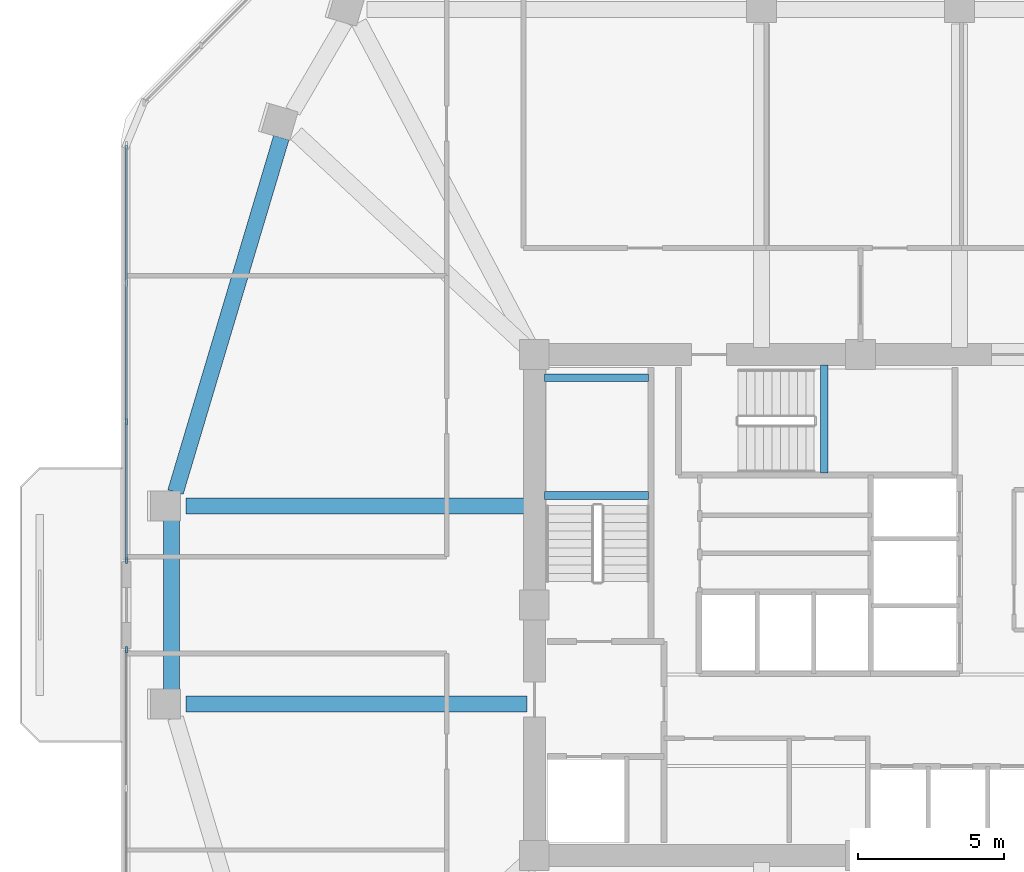
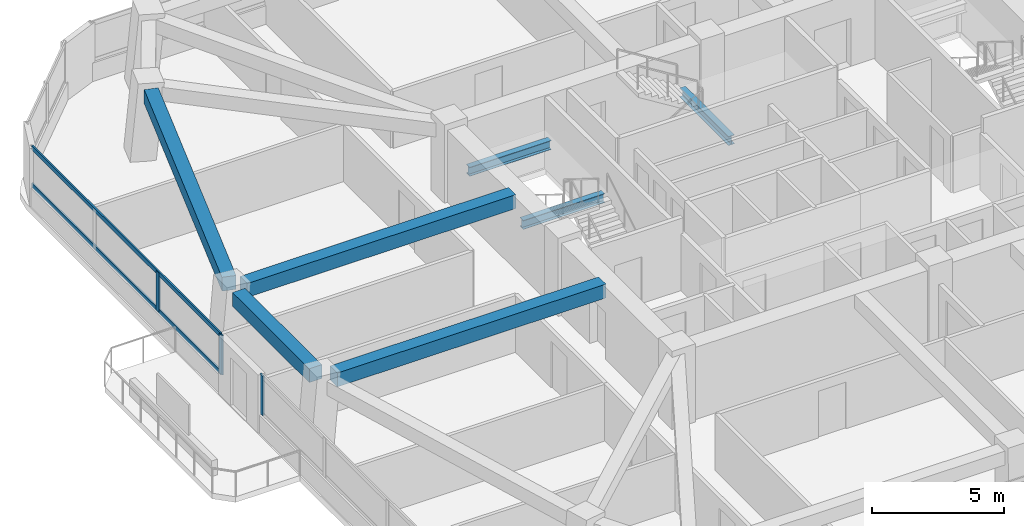
# One storey, part 4 of 14: 7 beams, 5 members, 2 elements without a shape of their own.
"""IFC4 building model written with IfcOpenShell, lengths in metres."""

from ifc_helpers import new_model, si_unit, derived_unit, direction, frame, origin, origin_2d, place, context, subcontext, project, spatial, rectangle, i_section, extrude, material, material_profile, profile_set, type_object, element, aggregate, save


model = new_model("IFC4")

# Units and contexts
model_context = context("Model", 3, precision=1e-05, world=origin(), true_north=direction((0.0, 1.0)))
body_context = subcontext(model_context, "Body", "Model", "MODEL_VIEW")
ifc_project = project(units=[si_unit("LENGTHUNIT", "METRE"), si_unit("AREAUNIT", "SQUARE_METRE"), si_unit("VOLUMEUNIT", "CUBIC_METRE"), si_unit("PLANEANGLEUNIT", "RADIAN"), si_unit("MASSUNIT", "GRAM", prefix="KILO"), derived_unit("THERMALTRANSMITTANCEUNIT", [(si_unit("POWERUNIT", "WATT"), 1), (si_unit("LENGTHUNIT", "METRE"), -2), (si_unit("THERMODYNAMICTEMPERATUREUNIT", "KELVIN"), -1)])], contexts=[model_context])

# Site, building, storey
site_placement = place(None, origin())
site = spatial("IfcSite", under=ifc_project, at=site_placement, CompositionType="ELEMENT")
building_placement = place(site_placement, origin())
building = spatial("IfcBuilding", under=site, at=building_placement, Name="Koralith Skygarden Medical Center", CompositionType="ELEMENT")
storey_placement = place(building_placement, frame((0.0, 0.0, 106.3798828125)))
storey = spatial("IfcBuildingStorey", under=building, at=storey_placement, Name="L27", CompositionType="ELEMENT", Elevation=106.3798828125)

# Curtain wall, members
ifc_material_1 = material(Name="Clear Laminated Glass", Category="glass")
curtain_wall_type = type_object("IfcCurtainWallType", Name="CW-3 Zone 2 Faceted Solar Curtain Wall", PredefinedType="NOTDEFINED", material=ifc_material_1)
curtain_wall_1_placement = place(storey_placement, origin())
curtain_wall_1 = element("IfcCurtainWall", 1, at=curtain_wall_1_placement, inside=storey, type_object=curtain_wall_type, Name="Curtain Wall CW-L27-W-L", PredefinedType="NOTDEFINED")
ifc_material_2 = material(Name="Aluminium 6063-T6", Category="aluminium")
ifc_material_profile_1 = material_profile(ifc_material_2, rectangle(XDim=0.073974609375, YDim=0.219970703125, at=origin_2d()), Name="MUL74X220")
ifc_profile_set_1 = profile_set([ifc_material_profile_1], Name="Aluminium 6063-T6")
member_type_1 = type_object("IfcMemberType", Name="CW-3 Extruded Mullion 74x220", PredefinedType="MULLION", material=ifc_profile_set_1)
member_1_placement = place(storey_placement, frame((11.791015625, 32.194091796875, 0.85009765625), z_axis=(0.0, 0.0, 1.0), x_axis=(1.0, 0.0, 0.0)))
member_1 = element("IfcMember", 2, at=member_1_placement, type_object=member_type_1, Name="CW-L27-W-L Mullion 3", PredefinedType="MULLION", context=body_context, shape_type="SweptSolid", body=[
    extrude(rectangle(XDim=0.073974609375, YDim=0.219970703125, at=origin_2d()), origin(), (0.0, 0.0, 1.0), 1.820068359375),
])
member_2_placement = place(storey_placement, frame((11.791015625, 27.43994140625, 0.85009765625), z_axis=(0.0, 0.0, 1.0), x_axis=(1.0, 0.0, 0.0)))
member_2 = element("IfcMember", 3, at=member_2_placement, type_object=member_type_1, Name="CW-L27-W-L Mullion 4", PredefinedType="MULLION", context=body_context, shape_type="SweptSolid", body=[
    extrude(rectangle(XDim=0.073974609375, YDim=0.219970703125, at=origin_2d()), origin(), (0.0, 0.0, 1.0), 1.820068359375),
])

# Curtain wall, member
curtain_wall_2_placement = place(storey_placement, origin())
curtain_wall_2 = element("IfcCurtainWall", 4, at=curtain_wall_2_placement, inside=storey, type_object=curtain_wall_type, Name="Curtain Wall CW-L27-W-R", PredefinedType="NOTDEFINED")
member_3_placement = place(storey_placement, frame((11.791015625, 24.360107421875, 0.85009765625), z_axis=(0.0, 0.0, 1.0), x_axis=(1.0, 0.0, 0.0)))
member_3 = element("IfcMember", 5, at=member_3_placement, type_object=member_type_1, Name="CW-L27-W-R Mullion 1", PredefinedType="MULLION", context=body_context, shape_type="SweptSolid", body=[
    extrude(rectangle(XDim=0.073974609375, YDim=0.219970703125, at=origin_2d()), origin(), (0.0, 0.0, 1.0), 1.820068359375),
])
aggregate(curtain_wall_2, [member_3])

# Member
ifc_material_profile_2 = material_profile(ifc_material_2, rectangle(XDim=0.069091796875, YDim=0.197998046875, at=origin_2d()), Name="TRN69X198")
ifc_profile_set_2 = profile_set([ifc_material_profile_2], Name="Aluminium 6063-T6")
member_type_2 = type_object("IfcMemberType", Name="CW-3 Thermal Transom 69x198", PredefinedType="USERDEFINED", material=ifc_profile_set_2)
member_4_placement = place(storey_placement, frame((11.791015625, 41.701904296875, 0.900146484375), z_axis=(0.0, -1.0, 0.0), x_axis=(1.0, 0.0, 0.0)))
member_4 = element("IfcMember", 6, at=member_4_placement, type_object=member_type_2, Name="CW-L27-W-L Transom 1", ObjectType="TRANSOM", PredefinedType="USERDEFINED", context=body_context, shape_type="SweptSolid", body=[
    extrude(rectangle(XDim=0.069091796875, YDim=0.197998046875, at=origin_2d()), origin(), (0.0, 0.0, 1.0), 14.261962890625),
])

member_5_placement = place(storey_placement, frame((11.791015625, 41.701904296875, 2.6201171875), z_axis=(0.0, -1.0, 0.0), x_axis=(1.0, 0.0, 0.0)))
member_5 = element("IfcMember", 7, at=member_5_placement, type_object=member_type_2, Name="CW-L27-W-L Transom 2", ObjectType="TRANSOM", PredefinedType="USERDEFINED", context=body_context, shape_type="SweptSolid", body=[
    extrude(rectangle(XDim=0.069091796875, YDim=0.197998046875, at=origin_2d()), origin(), (0.0, 0.0, 1.0), 14.261962890625),
])

aggregate(curtain_wall_1, [member_1, member_2, member_4, member_5])

# Beams
ifc_material_3 = material(Name="Steel ASTM A992 Grade 50", Category="steel")
ifc_material_profile_3 = material_profile(ifc_material_3, i_section(OverallWidth=0.260009765625, OverallDepth=0.4150390625, WebThickness=0.010009765625, FlangeThickness=0.016845703125, at=origin_2d()), Name="W16X67")
ifc_profile_set_3 = profile_set([ifc_material_profile_3], Name="Steel ASTM A992 Grade 50")
beam_type_1 = type_object("IfcBeamType", Name="Clinical Floor Joist W16X67", PredefinedType="JOIST", material=ifc_profile_set_3)
for number, where, z_axis, x_axis, name in (
    (8, (26.155029296875, 29.659912109375, 1.39306640625), (1.0, 0.0, 0.0), (0.0, 1.0, 0.0), "L27 Stair ST1 Half-Landing Support Beam 1A"),
    (9, (26.155029296875, 33.699951171875, 1.39306640625), (1.0, 0.0, 0.0), (0.0, 1.0, 0.0), "L27 Stair ST1 Half-Landing Support Beam 1B"),
):
    element("IfcBeam", number, at=place(storey_placement, frame(where, z_axis=z_axis, x_axis=x_axis)), inside=storey, type_object=beam_type_1, Name=name, PredefinedType="JOIST", context=body_context, shape_type="SweptSolid", body=[
        extrude(i_section(OverallWidth=0.260009765625, OverallDepth=0.4150390625, WebThickness=0.010009765625, FlangeThickness=0.016845703125, at=origin_2d()), origin(), (0.0, 0.0, 1.0), 3.56494140625),
    ])
beam_1_placement = place(storey_placement, frame((35.760009765625, 30.43994140625, 1.39306640625), z_axis=(0.0, 1.0, 0.0), x_axis=(-1.0, 0.0, 0.0)))
element("IfcBeam", 10, at=beam_1_placement, inside=storey, type_object=beam_type_1, Name="L27 Stair ST3 Half-Landing Support Beam 1A", PredefinedType="JOIST", context=body_context, shape_type="SweptSolid", body=[
    extrude(i_section(OverallWidth=0.260009765625, OverallDepth=0.4150390625, WebThickness=0.010009765625, FlangeThickness=0.016845703125, at=origin_2d()), origin(), (0.0, 0.0, 1.0), 3.705078125),
])
ifc_material_4 = material(Name="Concrete C45/55", Category="concrete")
ifc_material_profile_4 = material_profile(ifc_material_4, rectangle(XDim=0.550048828125, YDim=0.639892578125, at=origin_2d()), Name="RCB550X640")
ifc_profile_set_4 = profile_set([ifc_material_profile_4], Name="Concrete C45/55")
beam_type_2 = type_object("IfcBeamType", Name="Radial Collector Beam RCB550X640", PredefinedType="BEAM", material=ifc_profile_set_4)
for number, where, z_axis, x_axis, name in (
    (11, (25.550048828125, 22.5, 3.0), (-1.0, 0.0, 0.0), (0.0, -1.0, 0.0), "L27 Radial Collector Beam RB-01"),
    (12, (25.550048828125, 29.300048828125, 3.0), (-1.0, 0.0, 0.0), (0.0, -1.0, 0.0), "L27 Radial Collector Beam RB-16"),
):
    element("IfcBeam", number, at=place(storey_placement, frame(where, z_axis=z_axis, x_axis=x_axis)), inside=storey, type_object=beam_type_2, Name=name, PredefinedType="BEAM", context=body_context, shape_type="SweptSolid", body=[
        extrude(rectangle(XDim=0.550048828125, YDim=0.639892578125, at=origin_2d()), origin(), (0.0, 0.0, 1.0), 11.716064453125),
    ])
ifc_material_profile_5 = material_profile(ifc_material_4, rectangle(XDim=0.550048828125, YDim=0.639892578125, at=origin_2d()), Name="RCB550X640")
ifc_profile_set_5 = profile_set([ifc_material_profile_5], Name="Concrete C45/55")
beam_type_3 = type_object("IfcBeamType", Name="Zone 2-3 Spandrel Beam RCB550X640", PredefinedType="SPANDREL", material=ifc_profile_set_5)
beam_2_placement = place(storey_placement, frame((17.111083984375, 41.949951171875, 3.0), z_axis=(-0.286102694558, -0.958198960638, 0.0), x_axis=(0.958198960638, -0.286102694558, 0.0)))
element("IfcBeam", 13, at=beam_2_placement, inside=storey, type_object=beam_type_3, Name="L27 Perimeter Spandrel Beam SP-15", PredefinedType="SPANDREL", context=body_context, shape_type="SweptSolid", body=[
    extrude(rectangle(XDim=0.550048828125, YDim=0.639892578125, at=origin_2d()), origin(), (0.0, 0.0, 1.0), 12.701904296875),
])
beam_3_placement = place(storey_placement, frame((13.333984375, 28.800048828125, 3.0), z_axis=(0.0, -1.0, 0.0), x_axis=(1.0, 0.0, 0.0)))
element("IfcBeam", 14, at=beam_3_placement, inside=storey, type_object=beam_type_3, Name="L27 Perimeter Spandrel Beam SP-16", PredefinedType="SPANDREL", context=body_context, shape_type="SweptSolid", body=[
    extrude(rectangle(XDim=0.550048828125, YDim=0.639892578125, at=origin_2d()), origin(), (0.0, 0.0, 1.0), 5.800048828125),
])

save(model, "model.ifc")
